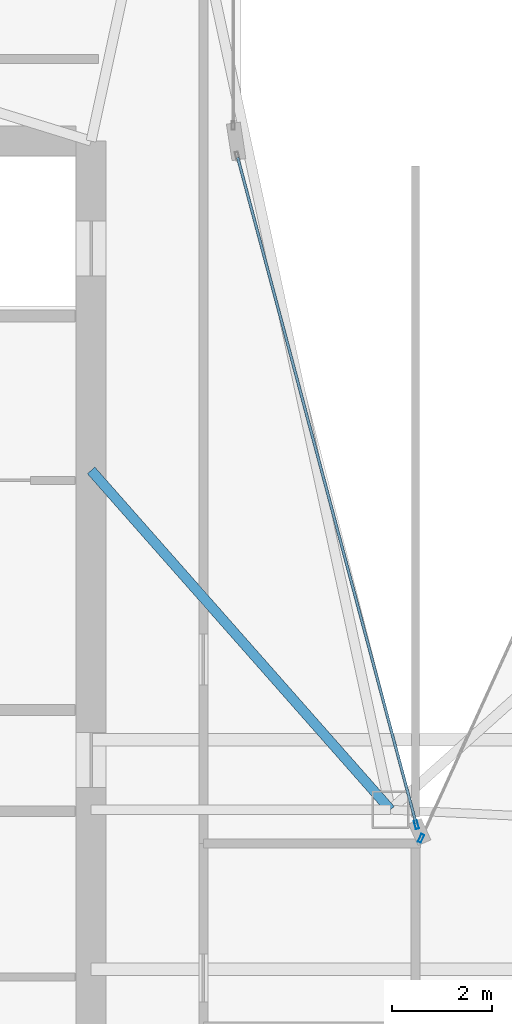
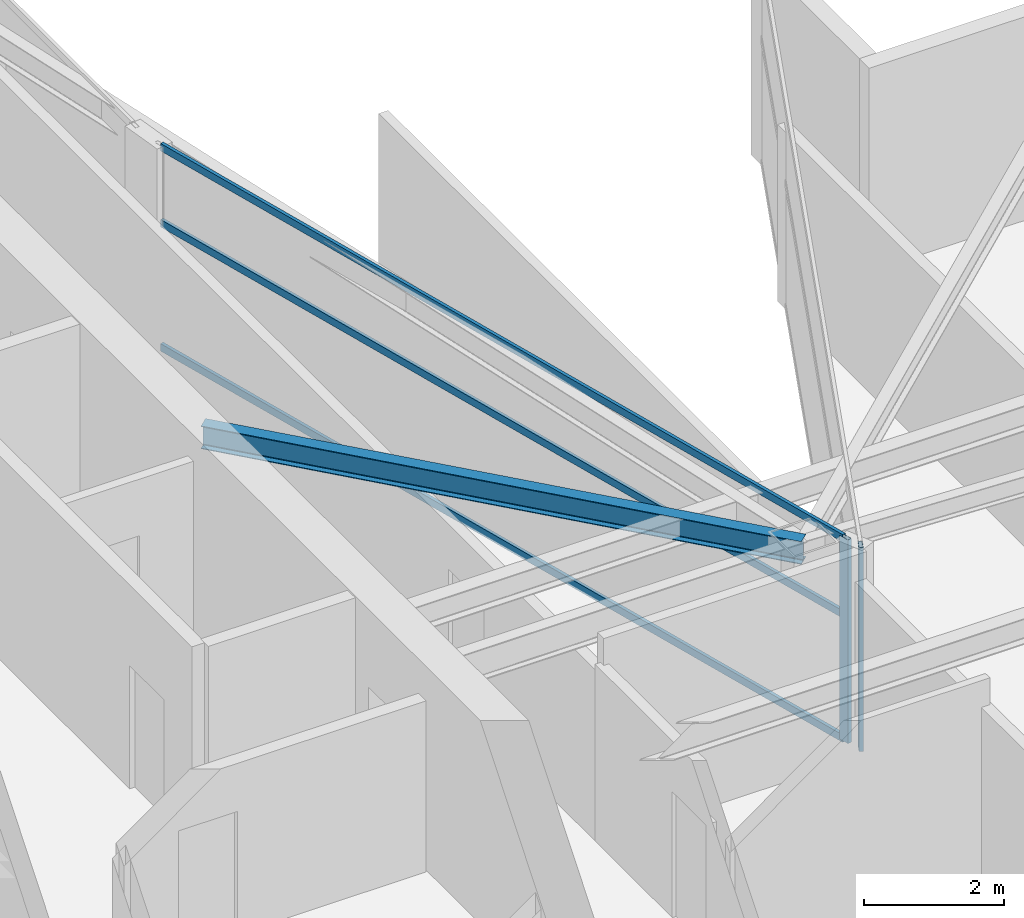
# One storey, part 12 of 27: 5 members, 1 beam, 2 elements without a shape of their own.
"""IFC4 building model written with IfcOpenShell, lengths in metres."""

from ifc_helpers import new_model, si_unit, direction, frame, origin, origin_2d, place, context, subcontext, project, spatial, hollow_rectangle, i_section, extrude, material, layer, layer_set, material_profile, profile_set, type_object, element, aggregate, save


model = new_model("IFC4")

# Units and contexts
model_context = context("Model", 3, precision=1e-05, world=origin(), true_north=direction((0.0, 1.0)))
body_context = subcontext(model_context, "Body", "Model", "MODEL_VIEW")
ifc_project = project(units=[si_unit("LENGTHUNIT", "METRE"), si_unit("AREAUNIT", "SQUARE_METRE"), si_unit("VOLUMEUNIT", "CUBIC_METRE"), si_unit("PLANEANGLEUNIT", "RADIAN"), si_unit("MASSUNIT", "GRAM", prefix="KILO")], contexts=[model_context])

# Site, building, storey
site_placement = place(None, origin())
site = spatial("IfcSite", under=ifc_project, at=site_placement, CompositionType="ELEMENT")
building_placement = place(site_placement, origin())
building = spatial("IfcBuilding", under=site, at=building_placement, Name="Calvorn Quay Hotel", CompositionType="ELEMENT")
storey_placement = place(building_placement, frame((0.0, 0.0, 298.699951171875)))
storey = spatial("IfcBuildingStorey", under=building, at=storey_placement, Name="L74", CompositionType="ELEMENT", Elevation=298.699951171875)

# Beam
ifc_material_1 = material(Name="Steel Q355B", Category="steel")
ifc_material_profile_1 = material_profile(ifc_material_1, i_section(OverallWidth=0.199951171875, OverallDepth=0.39990234375, WebThickness=0.008056640625, FlangeThickness=0.012939453125, FilletRadius=0.01611328125, at=origin_2d()), Name="HN400x200x8x13")
ifc_profile_set_1 = profile_set([ifc_material_profile_1], Name="Steel Q355B")
beam_type = type_object("IfcBeamType", Name="BM-JOIST-TYP", PredefinedType="JOIST", material=ifc_profile_set_1)
beam_placement = place(storey_placement, frame((15.0, 31.800048828125, 3.340087890625), z_axis=(0.661618965899, -0.749840212287, 0.0), x_axis=(0.749840212287, 0.661618965899, 0.0)))
element("IfcBeam", 1, at=beam_placement, inside=storey, type_object=beam_type, Name="Beam BJ-L74-C1", PredefinedType="JOIST", context=body_context, shape_type="SweptSolid", body=[
    extrude(i_section(OverallWidth=0.199951171875, OverallDepth=0.39990234375, WebThickness=0.008056640625, FlangeThickness=0.012939453125, FilletRadius=0.01611328125, at=origin_2d()), origin(), (0.0, 0.0, 1.0), 9.068603515625),
])

# Curtain wall, member
ifc_material_2 = material(Name="Champagne Bronze Anodised Aluminium and Low-E Glass", Category="aluminium")
ifc_layer = layer(ifc_material_2, 0.219970703125)
ifc_layer_set = layer_set([ifc_layer], Name="CW-SYS-Z4")
curtain_wall_type = type_object("IfcCurtainWallType", Name="CW-SYS-Z4", PredefinedType="NOTDEFINED", material=ifc_layer_set)
curtain_wall_1_placement = place(storey_placement, origin())
curtain_wall_1 = element("IfcCurtainWall", 2, at=curtain_wall_1_placement, inside=storey, type_object=curtain_wall_type, Name="Inner Court Curtain Wall L74-NE1", PredefinedType="NOTDEFINED")
ifc_material_3 = material(Name="Champagne Bronze Anodised Aluminium 6063-T6", Category="aluminium")
ifc_material_profile_2 = material_profile(ifc_material_3, hollow_rectangle(XDim=0.06494140625, YDim=0.169921875, WallThickness=0.00341796875, at=origin_2d()), Name="ALU-M170x65x3.5")
ifc_profile_set_2 = profile_set([ifc_material_profile_2], Name="Champagne Bronze Anodised Aluminium 6063-T6")
member_type_1 = type_object("IfcMemberType", Name="CW-SYS-Z4-MUL", PredefinedType="MULLION", material=ifc_profile_set_2)
member_1_placement = place(storey_placement, frame((21.612548828125, 24.42724609375, 0.0), z_axis=(0.0, 0.0, 1.0), x_axis=(0.909907665981, -0.414810847724, 0.0)))
member_1 = element("IfcMember", 3, at=member_1_placement, type_object=member_type_1, Name="CW-L74-NE1 mullion 2", PredefinedType="MULLION", context=body_context, shape_type="SweptSolid", body=[
    extrude(hollow_rectangle(XDim=0.06494140625, YDim=0.169921875, WallThickness=0.00341796875, at=origin_2d()), origin(), (0.0, 0.0, 1.0), 3.56005859375),
])
aggregate(curtain_wall_1, [member_1])

# Curtain wall, members
curtain_wall_2_placement = place(storey_placement, origin())
curtain_wall_2 = element("IfcCurtainWall", 4, at=curtain_wall_2_placement, inside=storey, type_object=curtain_wall_type, Name="Inner Court Curtain Wall L74-IC1", PredefinedType="NOTDEFINED")
member_2_placement = place(storey_placement, frame((21.520263671875, 24.698974609375, 0.0), z_axis=(0.0, 0.0, 1.0), x_axis=(-0.96593652056, -0.25877913024, 0.0)))
member_2 = element("IfcMember", 5, at=member_2_placement, type_object=member_type_1, Name="CW-L74-IC1 mullion 1", PredefinedType="MULLION", context=body_context, shape_type="SweptSolid", body=[
    extrude(hollow_rectangle(XDim=0.06494140625, YDim=0.169921875, WallThickness=0.00341796875, at=origin_2d()), origin(), (0.0, 0.0, 1.0), 3.56005859375),
])
ifc_material_4 = material(Name="Champagne Bronze Anodised Aluminium 6063-T6", Category="aluminium")
ifc_material_profile_3 = material_profile(ifc_material_4, hollow_rectangle(XDim=0.054931640625, YDim=0.1298828125, WallThickness=0.003173828125, at=origin_2d()), Name="ALU-T130x55x3.2")
ifc_profile_set_3 = profile_set([ifc_material_profile_3], Name="Champagne Bronze Anodised Aluminium 6063-T6")
member_type_2 = type_object("IfcMemberType", Name="CW-SYS-Z4-TRN", PredefinedType="USERDEFINED", material=ifc_profile_set_3)
member_3_placement = place(storey_placement, frame((21.512451171875, 24.72802734375, 0.030029296875), z_axis=(-0.258781136883, 0.965935982969, 0.0), x_axis=(-0.965935982969, -0.258781136883, 0.0)))
member_3 = element("IfcMember", 6, at=member_3_placement, type_object=member_type_2, Name="CW-L74-IC1 transom 1.1", ObjectType="TRANSOM", PredefinedType="USERDEFINED", context=body_context, shape_type="SweptSolid", body=[
    extrude(hollow_rectangle(XDim=0.054931640625, YDim=0.1298828125, WallThickness=0.003173828125, at=origin_2d()), origin(), (0.0, 0.0, 1.0), 13.814453125),
])
member_4_placement = place(storey_placement, frame((21.512451171875, 24.72802734375, 2.199951171875), z_axis=(-0.258781136883, 0.965935982969, 0.0), x_axis=(-0.965935982969, -0.258781136883, 0.0)))
member_4 = element("IfcMember", 7, at=member_4_placement, type_object=member_type_2, Name="CW-L74-IC1 transom 1.2", ObjectType="TRANSOM", PredefinedType="USERDEFINED", context=body_context, shape_type="SweptSolid", body=[
    extrude(hollow_rectangle(XDim=0.054931640625, YDim=0.1298828125, WallThickness=0.003173828125, at=origin_2d()), origin(), (0.0, 0.0, 1.0), 13.814453125),
])
member_5_placement = place(storey_placement, frame((21.512451171875, 24.72802734375, 3.530029296875), z_axis=(-0.258781136883, 0.965935982969, 0.0), x_axis=(-0.965935982969, -0.258781136883, 0.0)))
member_5 = element("IfcMember", 8, at=member_5_placement, type_object=member_type_2, Name="CW-L74-IC1 transom 1.3", ObjectType="TRANSOM", PredefinedType="USERDEFINED", context=body_context, shape_type="SweptSolid", body=[
    extrude(hollow_rectangle(XDim=0.054931640625, YDim=0.1298828125, WallThickness=0.003173828125, at=origin_2d()), origin(), (0.0, 0.0, 1.0), 13.814453125),
])
aggregate(curtain_wall_2, [member_2, member_3, member_4, member_5])

save(model, "model.ifc")
